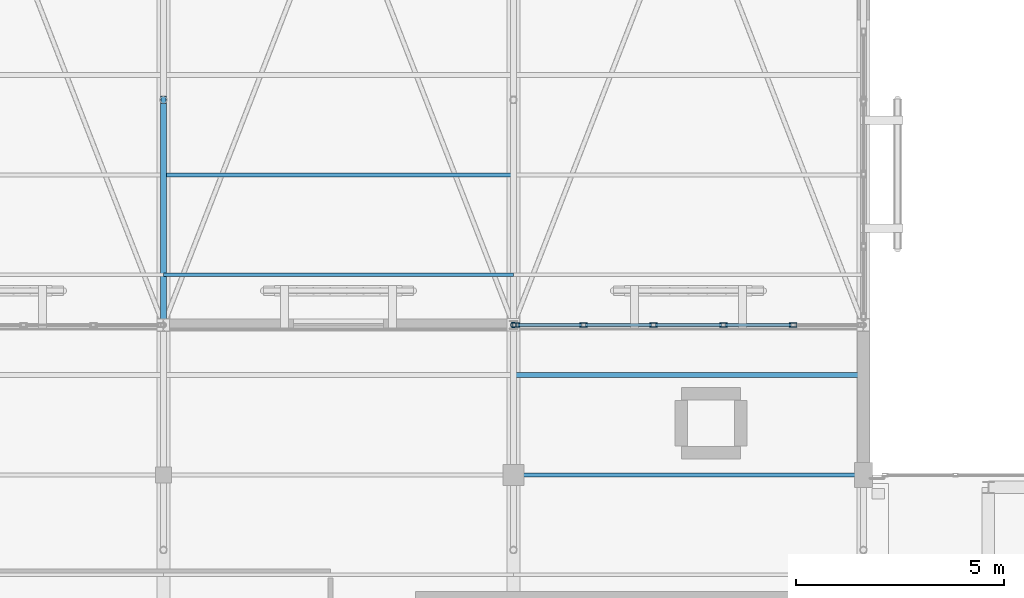
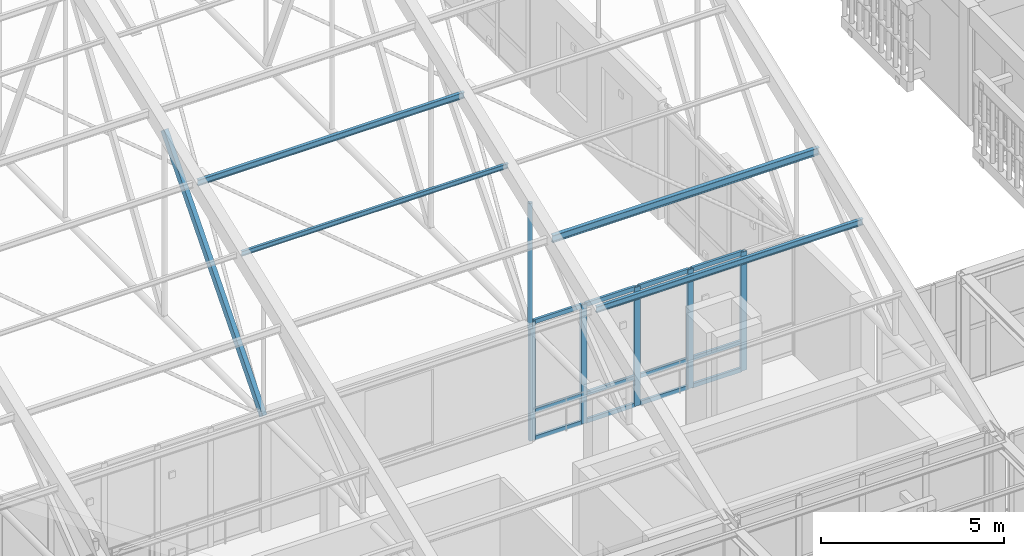
# One storey, part 102 of 217: 23 members, 1 element without a shape of its own.
"""IFC4 building model written with IfcOpenShell, lengths in metres."""

from ifc_helpers import new_model, si_unit, direction, frame, origin, origin_2d, place, context, subcontext, project, spatial, hollow_rectangle, hollow_circle, i_section, extrude, material, layer, layer_set, material_profile, profile_set, type_object, element, aggregate, save


model = new_model("IFC4")

# Units and contexts
model_context = context("Model", 3, precision=1e-05, world=origin(), true_north=direction((0.0, 1.0)))
body_context = subcontext(model_context, "Body", "Model", "MODEL_VIEW")
ifc_project = project(units=[si_unit("LENGTHUNIT", "METRE"), si_unit("AREAUNIT", "SQUARE_METRE"), si_unit("VOLUMEUNIT", "CUBIC_METRE"), si_unit("PLANEANGLEUNIT", "RADIAN"), si_unit("MASSUNIT", "GRAM", prefix="KILO")], contexts=[model_context])

# Site, building, storey
site_placement = place(None, origin())
site = spatial("IfcSite", under=ifc_project, at=site_placement, CompositionType="ELEMENT")
building_placement = place(site_placement, origin())
building = spatial("IfcBuilding", under=site, at=building_placement, Name="Mazaris Harbour Polytechnic", CompositionType="ELEMENT")
storey_placement = place(building_placement, frame((0.0, 0.0, 9.60009765625)))
storey = spatial("IfcBuildingStorey", under=building, at=storey_placement, Name="L02", CompositionType="ELEMENT", Elevation=9.60009765625)

# Curtain wall, members
ifc_material_1 = material(Name="Anodised Bronze Aluminium and Low-E Glass", Category="aluminium")
ifc_layer = layer(ifc_material_1, 0.14990234375, Name="Anodised Bronze Aluminium and Low-E Glass")
ifc_layer_set = layer_set([ifc_layer], Name="Anodised Bronze Aluminium and Low-E Glass")
curtain_wall_type = type_object("IfcCurtainWallType", Name="Workshop Clerestory Curtain Wall", PredefinedType="NOTDEFINED", material=ifc_layer_set)
curtain_wall_placement = place(storey_placement, origin())
curtain_wall = element("IfcCurtainWall", 1, at=curtain_wall_placement, inside=storey, type_object=curtain_wall_type, Name="V1 L02 Curtain Wall 32", PredefinedType="NOTDEFINED")
ifc_material_2 = material(Name="Anodised Bronze Steel S355", Category="steel")
ifc_material_profile_1 = material_profile(ifc_material_2, hollow_rectangle(XDim=0.10009765625, YDim=0.179931640625, WallThickness=0.008056640625, at=origin_2d()), Name="RHS 100x180x8.0")
ifc_profile_set_1 = profile_set([ifc_material_profile_1], Name="Anodised Bronze Steel S355")
member_type_1 = type_object("IfcMemberType", Name="Curtain Mullion RHS100x180", PredefinedType="MULLION", material=ifc_profile_set_1)
member_1_placement = place(storey_placement, frame((104.4580078125, 86.39990234375, 0.0), z_axis=(0.0, 0.0, 1.0), x_axis=(0.0, 1.0, 0.0)))
member_1 = element("IfcMember", 2, at=member_1_placement, type_object=member_type_1, Name="CW-04 mullion 1", PredefinedType="MULLION", context=body_context, shape_type="SweptSolid", body=[
    extrude(hollow_rectangle(XDim=0.10009765625, YDim=0.179931640625, WallThickness=0.008056640625, at=origin_2d()), origin(), (0.0, 0.0, 1.0), 3.9599609375),
])
member_2_placement = place(storey_placement, frame((106.084716796875, 86.39990234375, 0.0), z_axis=(0.0, 0.0, 1.0), x_axis=(0.0, 1.0, 0.0)))
member_2 = element("IfcMember", 3, at=member_2_placement, type_object=member_type_1, Name="CW-04 mullion 2", PredefinedType="MULLION", context=body_context, shape_type="SweptSolid", body=[
    extrude(hollow_rectangle(XDim=0.10009765625, YDim=0.179931640625, WallThickness=0.008056640625, at=origin_2d()), origin(), (0.0, 0.0, 1.0), 3.9599609375),
])
member_3_placement = place(storey_placement, frame((107.76171875, 86.39990234375, 0.0), z_axis=(0.0, 0.0, 1.0), x_axis=(0.0, 1.0, 0.0)))
member_3 = element("IfcMember", 4, at=member_3_placement, type_object=member_type_1, Name="CW-04 mullion 3", PredefinedType="MULLION", context=body_context, shape_type="SweptSolid", body=[
    extrude(hollow_rectangle(XDim=0.10009765625, YDim=0.179931640625, WallThickness=0.008056640625, at=origin_2d()), origin(), (0.0, 0.0, 1.0), 3.9599609375),
])
member_4_placement = place(storey_placement, frame((109.4384765625, 86.39990234375, 0.0), z_axis=(0.0, 0.0, 1.0), x_axis=(0.0, 1.0, 0.0)))
member_4 = element("IfcMember", 5, at=member_4_placement, type_object=member_type_1, Name="CW-04 mullion 4", PredefinedType="MULLION", context=body_context, shape_type="SweptSolid", body=[
    extrude(hollow_rectangle(XDim=0.10009765625, YDim=0.179931640625, WallThickness=0.008056640625, at=origin_2d()), origin(), (0.0, 0.0, 1.0), 3.9599609375),
])
member_5_placement = place(storey_placement, frame((111.115234375, 86.39990234375, 0.0), z_axis=(0.0, 0.0, 1.0), x_axis=(0.0, 1.0, 0.0)))
member_5 = element("IfcMember", 6, at=member_5_placement, type_object=member_type_1, Name="CW-04 mullion 5", PredefinedType="MULLION", context=body_context, shape_type="SweptSolid", body=[
    extrude(hollow_rectangle(XDim=0.10009765625, YDim=0.179931640625, WallThickness=0.008056640625, at=origin_2d()), origin(), (0.0, 0.0, 1.0), 3.9599609375),
])
ifc_material_3 = material(Name="Anodised Bronze Steel S355", Category="steel")
ifc_material_profile_2 = material_profile(ifc_material_3, hollow_rectangle(XDim=0.080078125, YDim=0.139892578125, WallThickness=0.00634765625, at=origin_2d()), Name="RHS 80x140x6.3")
ifc_profile_set_2 = profile_set([ifc_material_profile_2], Name="Anodised Bronze Steel S355")
member_type_2 = type_object("IfcMemberType", Name="Curtain Transom RHS80x140", PredefinedType="USERDEFINED", material=ifc_profile_set_2)
member_6_placement = place(storey_placement, frame((104.508056640625, 86.39990234375, 0.039794921875), z_axis=(1.0, 0.0, 0.0), x_axis=(0.0, 1.0, 0.0)))
member_6 = element("IfcMember", 7, at=member_6_placement, type_object=member_type_2, Name="CW-04 transom 1.1", ObjectType="TRANSOM", PredefinedType="USERDEFINED", context=body_context, shape_type="SweptSolid", body=[
    extrude(hollow_rectangle(XDim=0.080078125, YDim=0.139892578125, WallThickness=0.00634765625, at=origin_2d()), origin(), (0.0, 0.0, 1.0), 1.52685546875),
])
member_7_placement = place(storey_placement, frame((104.508056640625, 86.39990234375, 0.949951171875), z_axis=(1.0, 0.0, 0.0), x_axis=(0.0, 1.0, 0.0)))
member_7 = element("IfcMember", 8, at=member_7_placement, type_object=member_type_2, Name="CW-04 transom 1.2", ObjectType="TRANSOM", PredefinedType="USERDEFINED", context=body_context, shape_type="SweptSolid", body=[
    extrude(hollow_rectangle(XDim=0.080078125, YDim=0.139892578125, WallThickness=0.00634765625, at=origin_2d()), origin(), (0.0, 0.0, 1.0), 1.52685546875),
])
member_8_placement = place(storey_placement, frame((104.508056640625, 86.39990234375, 3.919921875), z_axis=(1.0, 0.0, 0.0), x_axis=(0.0, 1.0, 0.0)))
member_8 = element("IfcMember", 9, at=member_8_placement, type_object=member_type_2, Name="CW-04 transom 1.3", ObjectType="TRANSOM", PredefinedType="USERDEFINED", context=body_context, shape_type="SweptSolid", body=[
    extrude(hollow_rectangle(XDim=0.080078125, YDim=0.139892578125, WallThickness=0.00634765625, at=origin_2d()), origin(), (0.0, 0.0, 1.0), 1.52685546875),
])
member_9_placement = place(storey_placement, frame((106.134765625, 86.39990234375, 0.039794921875), z_axis=(1.0, 0.0, 0.0), x_axis=(0.0, 1.0, 0.0)))
member_9 = element("IfcMember", 10, at=member_9_placement, type_object=member_type_2, Name="CW-04 transom 2.1", ObjectType="TRANSOM", PredefinedType="USERDEFINED", context=body_context, shape_type="SweptSolid", body=[
    extrude(hollow_rectangle(XDim=0.080078125, YDim=0.139892578125, WallThickness=0.00634765625, at=origin_2d()), origin(), (0.0, 0.0, 1.0), 1.576904296875),
])
member_10_placement = place(storey_placement, frame((106.134765625, 86.39990234375, 0.949951171875), z_axis=(1.0, 0.0, 0.0), x_axis=(0.0, 1.0, 0.0)))
member_10 = element("IfcMember", 11, at=member_10_placement, type_object=member_type_2, Name="CW-04 transom 2.2", ObjectType="TRANSOM", PredefinedType="USERDEFINED", context=body_context, shape_type="SweptSolid", body=[
    extrude(hollow_rectangle(XDim=0.080078125, YDim=0.139892578125, WallThickness=0.00634765625, at=origin_2d()), origin(), (0.0, 0.0, 1.0), 1.576904296875),
])
member_11_placement = place(storey_placement, frame((106.134765625, 86.39990234375, 3.919921875), z_axis=(1.0, 0.0, 0.0), x_axis=(0.0, 1.0, 0.0)))
member_11 = element("IfcMember", 12, at=member_11_placement, type_object=member_type_2, Name="CW-04 transom 2.3", ObjectType="TRANSOM", PredefinedType="USERDEFINED", context=body_context, shape_type="SweptSolid", body=[
    extrude(hollow_rectangle(XDim=0.080078125, YDim=0.139892578125, WallThickness=0.00634765625, at=origin_2d()), origin(), (0.0, 0.0, 1.0), 1.576904296875),
])
member_12_placement = place(storey_placement, frame((107.8115234375, 86.39990234375, 0.039794921875), z_axis=(1.0, 0.0, 0.0), x_axis=(0.0, 1.0, 0.0)))
member_12 = element("IfcMember", 13, at=member_12_placement, type_object=member_type_2, Name="CW-04 transom 3.1", ObjectType="TRANSOM", PredefinedType="USERDEFINED", context=body_context, shape_type="SweptSolid", body=[
    extrude(hollow_rectangle(XDim=0.080078125, YDim=0.139892578125, WallThickness=0.00634765625, at=origin_2d()), origin(), (0.0, 0.0, 1.0), 1.576904296875),
])
member_13_placement = place(storey_placement, frame((107.8115234375, 86.39990234375, 0.949951171875), z_axis=(1.0, 0.0, 0.0), x_axis=(0.0, 1.0, 0.0)))
member_13 = element("IfcMember", 14, at=member_13_placement, type_object=member_type_2, Name="CW-04 transom 3.2", ObjectType="TRANSOM", PredefinedType="USERDEFINED", context=body_context, shape_type="SweptSolid", body=[
    extrude(hollow_rectangle(XDim=0.080078125, YDim=0.139892578125, WallThickness=0.00634765625, at=origin_2d()), origin(), (0.0, 0.0, 1.0), 1.576904296875),
])
member_14_placement = place(storey_placement, frame((107.8115234375, 86.39990234375, 3.919921875), z_axis=(1.0, 0.0, 0.0), x_axis=(0.0, 1.0, 0.0)))
member_14 = element("IfcMember", 15, at=member_14_placement, type_object=member_type_2, Name="CW-04 transom 3.3", ObjectType="TRANSOM", PredefinedType="USERDEFINED", context=body_context, shape_type="SweptSolid", body=[
    extrude(hollow_rectangle(XDim=0.080078125, YDim=0.139892578125, WallThickness=0.00634765625, at=origin_2d()), origin(), (0.0, 0.0, 1.0), 1.576904296875),
])
member_15_placement = place(storey_placement, frame((109.48828125, 86.39990234375, 0.039794921875), z_axis=(1.0, 0.0, 0.0), x_axis=(0.0, 1.0, 0.0)))
member_15 = element("IfcMember", 16, at=member_15_placement, type_object=member_type_2, Name="CW-04 transom 4.1", ObjectType="TRANSOM", PredefinedType="USERDEFINED", context=body_context, shape_type="SweptSolid", body=[
    extrude(hollow_rectangle(XDim=0.080078125, YDim=0.139892578125, WallThickness=0.00634765625, at=origin_2d()), origin(), (0.0, 0.0, 1.0), 1.576904296875),
])
member_16_placement = place(storey_placement, frame((109.48828125, 86.39990234375, 0.949951171875), z_axis=(1.0, 0.0, 0.0), x_axis=(0.0, 1.0, 0.0)))
member_16 = element("IfcMember", 17, at=member_16_placement, type_object=member_type_2, Name="CW-04 transom 4.2", ObjectType="TRANSOM", PredefinedType="USERDEFINED", context=body_context, shape_type="SweptSolid", body=[
    extrude(hollow_rectangle(XDim=0.080078125, YDim=0.139892578125, WallThickness=0.00634765625, at=origin_2d()), origin(), (0.0, 0.0, 1.0), 1.576904296875),
])
member_17_placement = place(storey_placement, frame((109.48828125, 86.39990234375, 3.919921875), z_axis=(1.0, 0.0, 0.0), x_axis=(0.0, 1.0, 0.0)))
member_17 = element("IfcMember", 18, at=member_17_placement, type_object=member_type_2, Name="CW-04 transom 4.3", ObjectType="TRANSOM", PredefinedType="USERDEFINED", context=body_context, shape_type="SweptSolid", body=[
    extrude(hollow_rectangle(XDim=0.080078125, YDim=0.139892578125, WallThickness=0.00634765625, at=origin_2d()), origin(), (0.0, 0.0, 1.0), 1.576904296875),
])
aggregate(curtain_wall, [member_1, member_2, member_3, member_4, member_5, member_6, member_7, member_8, member_9, member_10, member_11, member_12, member_13, member_14, member_15, member_16, member_17])

# Members
ifc_material_4 = material(Name="Steel S355", Category="steel")
ifc_material_profile_3 = material_profile(ifc_material_4, i_section(OverallWidth=0.08203125, OverallDepth=0.159912109375, WebThickness=0.0048828125, FlangeThickness=0.00732421875, FilletRadius=0.009033203125, at=origin_2d()), Name="IPE 160")
ifc_profile_set_3 = profile_set([ifc_material_profile_3], Name="Steel S355")
member_type_3 = type_object("IfcMemberType", Name="Steel Purlin IPE160", PredefinedType="PURLIN", material=ifc_profile_set_3)
member_18_placement = place(storey_placement, frame((96.0, 87.60009765625, 8.43798828125), z_axis=(1.0, 0.0, 0.0), x_axis=(0.0, 1.0, 0.0)))
element("IfcMember", 19, at=member_18_placement, inside=storey, type_object=member_type_3, Name="V1 Roof Purlin S-114", PredefinedType="PURLIN", context=body_context, shape_type="SweptSolid", body=[
    extrude(i_section(OverallWidth=0.08203125, OverallDepth=0.159912109375, WebThickness=0.0048828125, FlangeThickness=0.00732421875, FilletRadius=0.009033203125, at=origin_2d()), origin(), (0.0, 0.0, 1.0), 8.39990234375),
])
ifc_material_5 = material(Name="Steel S355", Category="steel")
ifc_material_profile_4 = material_profile(ifc_material_5, i_section(OverallWidth=0.10009765625, OverallDepth=0.199951171875, WebThickness=0.005615234375, FlangeThickness=0.008544921875, FilletRadius=0.011962890625, at=origin_2d()), Name="IPE 200")
ifc_profile_set_4 = profile_set([ifc_material_profile_4], Name="Steel S355")
member_type_4 = type_object("IfcMemberType", Name="Steel Purlin IPE200", PredefinedType="PURLIN", material=ifc_profile_set_4)
member_19_placement = place(storey_placement, frame((96.0, 90.0, 9.344970703125), z_axis=(1.0, 0.0, 0.0), x_axis=(0.0, 1.0, 0.0)))
element("IfcMember", 20, at=member_19_placement, inside=storey, type_object=member_type_4, Name="V1 Roof Purlin S-115", PredefinedType="PURLIN", context=body_context, shape_type="SweptSolid", body=[
    extrude(i_section(OverallWidth=0.10009765625, OverallDepth=0.199951171875, WebThickness=0.005615234375, FlangeThickness=0.008544921875, FilletRadius=0.011962890625, at=origin_2d()), origin(), (0.0, 0.0, 1.0), 8.39990234375),
])
member_20_placement = place(storey_placement, frame((104.39990234375, 82.800048828125, 6.544921875), z_axis=(1.0, 0.0, 0.0), x_axis=(0.0, 1.0, 0.0)))
element("IfcMember", 21, at=member_20_placement, inside=storey, type_object=member_type_4, Name="V1 Roof Purlin S-133", PredefinedType="PURLIN", context=body_context, shape_type="SweptSolid", body=[
    extrude(i_section(OverallWidth=0.10009765625, OverallDepth=0.199951171875, WebThickness=0.005615234375, FlangeThickness=0.008544921875, FilletRadius=0.011962890625, at=origin_2d()), origin(), (0.0, 0.0, 1.0), 8.400146484375),
])
ifc_material_6 = material(Name="Steel S355", Category="steel")
ifc_material_profile_5 = material_profile(ifc_material_6, i_section(OverallWidth=0.1201171875, OverallDepth=0.239990234375, WebThickness=0.006103515625, FlangeThickness=0.009765625, FilletRadius=0.014892578125, at=origin_2d()), Name="IPE 240")
ifc_profile_set_5 = profile_set([ifc_material_profile_5], Name="Steel S355")
member_type_5 = type_object("IfcMemberType", Name="Steel Purlin IPE240", PredefinedType="PURLIN", material=ifc_profile_set_5)
member_21_placement = place(storey_placement, frame((104.39990234375, 85.199951171875, 7.451171875), z_axis=(1.0, 0.0, 0.0), x_axis=(0.0, 1.0, 0.0)))
element("IfcMember", 22, at=member_21_placement, inside=storey, type_object=member_type_5, Name="V1 Roof Purlin S-134", PredefinedType="PURLIN", context=body_context, shape_type="SweptSolid", body=[
    extrude(i_section(OverallWidth=0.1201171875, OverallDepth=0.239990234375, WebThickness=0.006103515625, FlangeThickness=0.009765625, FilletRadius=0.014892578125, at=origin_2d()), origin(), (0.0, 0.0, 1.0), 8.400146484375),
])
ifc_material_7 = material(Name="Steel S355", Category="steel")
ifc_material_profile_6 = material_profile(ifc_material_7, hollow_rectangle(XDim=0.139892578125, YDim=0.239990234375, WallThickness=0.010009765625, at=origin_2d()), Name="RHS 140x240x10.0")
ifc_profile_set_6 = profile_set([ifc_material_profile_6], Name="Steel S355")
member_type_6 = type_object("IfcMemberType", Name="Steel Truss Diagonal RHS140x240", PredefinedType="BRACE", material=ifc_profile_set_6)
member_22_placement = place(storey_placement, frame((96.0, 86.39990234375, 3.75), z_axis=(0.0, 0.653042406465, 0.757321342205), x_axis=(-1.0, 0.0, 0.0)))
element("IfcMember", 23, at=member_22_placement, inside=storey, type_object=member_type_6, Name="Truss 6 Web Diagonal S3", PredefinedType="BRACE", context=body_context, shape_type="SweptSolid", body=[
    extrude(hollow_rectangle(XDim=0.139892578125, YDim=0.239990234375, WallThickness=0.010009765625, at=origin_2d()), origin(), (0.0, 0.0, 1.0), 8.269287109375),
])
ifc_material_8 = material(Name="Steel S355", Category="steel")
ifc_material_profile_7 = material_profile(ifc_material_8, hollow_circle(Radius=0.06982421875, WallThickness=0.008056640625, at=origin_2d()), Name="CHS 139.7x8.0")
ifc_profile_set_7 = profile_set([ifc_material_profile_7], Name="Steel S355")
member_type_7 = type_object("IfcMemberType", Name="Steel Truss Strut CHS139", PredefinedType="STRUT", material=ifc_profile_set_7)
member_23_placement = place(storey_placement, frame((104.39990234375, 86.39990234375, 3.75), z_axis=(0.0, 0.0, 1.0), x_axis=(1.0, 0.0, 0.0)))
element("IfcMember", 24, at=member_23_placement, inside=storey, type_object=member_type_7, Name="Truss 7 Web Post S2", PredefinedType="STRUT", context=body_context, shape_type="SweptSolid", body=[
    extrude(hollow_circle(Radius=0.06982421875, WallThickness=0.008056640625, at=origin_2d()), origin(), (0.0, 0.0, 1.0), 4.1748046875),
])

save(model, "model.ifc")
